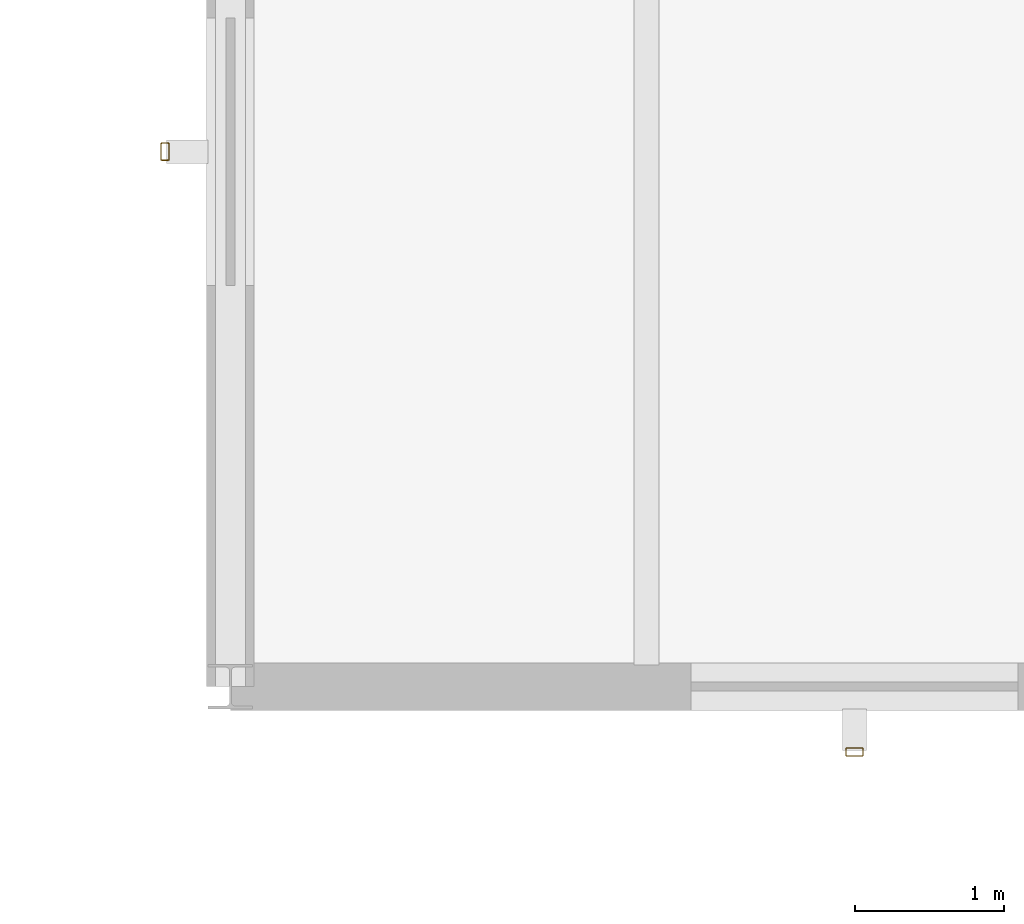
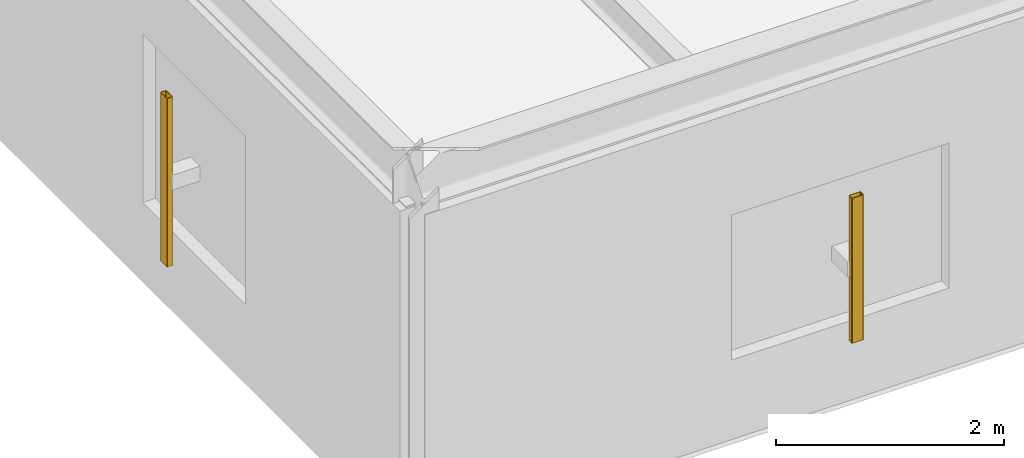
# One storey, part 79 of 109: 2 shading devices.
"""IFC4 building model written with IfcOpenShell, lengths in metres."""

import ifcopenshell
import ifcopenshell.guid

model = None  # the IFC model being written
_history = None  # IfcOwnerHistory: only IFC2X3 demands one
_inside = {}  # id of a spatial element -> (the spatial element, [elements in it])
_under = {}  # id of a project, library or spatial element -> (it, [spatial elements below it])
_declared = {}  # id of a project -> (the project, [libraries it declares])
_typed = {}  # id of a type object -> (the type object, [elements of that type])
_made_of = {}  # id of a material, layer set ... -> (it, [elements and type objects made of it])


def new_model(schema):
    """Start an empty IFC model of exactly this schema.

    Asked for "IFC4X3", IfcOpenShell would pick the latest addendum, in which some entities
    have other attributes; the version numbers below select the first issue.
    IFC2X3 requires an IfcOwnerHistory on every rooted entity: one is made here for all.
    """
    global model, _history
    if schema == "IFC4X3":
        model = ifcopenshell.file(schema_version=(4, 3, 0, 0))
    else:
        model = ifcopenshell.file(schema=schema)
    _inside.clear()
    _under.clear()
    _declared.clear()
    _typed.clear()
    _made_of.clear()
    _history = None
    if model.schema == "IFC2X3":
        org = make("IfcOrganization", Name="unknown")
        user = make(
            "IfcPersonAndOrganization",
            ThePerson=make("IfcPerson", FamilyName="unknown"),
            TheOrganization=org,
        )
        app = make(
            "IfcApplication",
            ApplicationDeveloper=org,
            Version="unknown",
            ApplicationFullName="unknown",
            ApplicationIdentifier="unknown",
        )
        _history = make(
            "IfcOwnerHistory",
            OwningUser=user,
            OwningApplication=app,
            ChangeAction="ADDED",
            CreationDate=0,
        )
    return model


def make(cls, **values):
    """One entity of the class cls with the attributes given. An attribute that is None is left unset."""
    return model.create_entity(
        cls, **{name: value for name, value in values.items() if value is not None}
    )


def rooted(cls, **values):
    """An entity with a GlobalId (a new one), such as an element, a storey or a relation."""
    return make(cls, GlobalId=ifcopenshell.guid.new(), OwnerHistory=_history, **values)


def si_unit(unit_type, name, prefix=None):
    """IfcSIUnit, for example si_unit("LENGTHUNIT", "METRE", prefix="MILLI")."""
    return make("IfcSIUnit", UnitType=unit_type, Prefix=prefix, Name=name)


def derived_unit(unit_type, elements):
    """IfcDerivedUnit: a product of units, each with its exponent."""
    return make(
        "IfcDerivedUnit",
        Elements=[
            make("IfcDerivedUnitElement", Unit=unit, Exponent=power)
            for unit, power in elements
        ],
        UnitType=unit_type,
    )


def assignment(units):
    """IfcUnitAssignment: the units of a project."""
    return None if units is None else make("IfcUnitAssignment", Units=units)


def point(xyz):
    """IfcCartesianPoint."""
    return None if xyz is None else make("IfcCartesianPoint", Coordinates=xyz)


def direction(xyz):
    """IfcDirection."""
    return None if xyz is None else make("IfcDirection", DirectionRatios=xyz)


def frame(location, z_axis=None, x_axis=None):
    """IfcAxis2Placement3D, a coordinate frame: its origin and axes. An axis left out is left unset."""
    return make(
        "IfcAxis2Placement3D",
        Location=point(location),
        Axis=direction(z_axis),
        RefDirection=direction(x_axis),
    )


def frame_2d(location, x_axis=None):
    """IfcAxis2Placement2D, a coordinate frame in the plane: its origin and x axis."""
    return make(
        "IfcAxis2Placement2D", Location=point(location), RefDirection=direction(x_axis)
    )


def origin():
    """The frame at (0, 0, 0) with its axes left unset."""
    return frame((0.0, 0.0, 0.0))


def origin_2d():
    """The frame at (0, 0) in the plane with its x axis left unset."""
    return frame_2d((0.0, 0.0))


def place(relative_to, where):
    """IfcLocalPlacement: puts the frame where relative to a parent placement (None: the world)."""
    return make(
        "IfcLocalPlacement", PlacementRelTo=relative_to, RelativePlacement=where
    )


def context(
    kind, dimensions, precision=None, world=None, true_north=None, identifier=None
):
    """IfcGeometricRepresentationContext, for example the 3D "Model" context."""
    return make(
        "IfcGeometricRepresentationContext",
        ContextIdentifier=identifier,
        ContextType=kind,
        CoordinateSpaceDimension=dimensions,
        Precision=precision,
        WorldCoordinateSystem=world,
        TrueNorth=true_north,
    )


def subcontext(parent, identifier, kind, view, scale=None):
    """IfcGeometricRepresentationSubContext, for example "Body" below "Model"."""
    return make(
        "IfcGeometricRepresentationSubContext",
        ContextIdentifier=identifier,
        ContextType=kind,
        ParentContext=parent,
        TargetScale=scale,
        TargetView=view,
    )


def project(units=None, contexts=None):
    """IfcProject with its units and contexts."""
    return rooted(
        "IfcProject",
        Name="project",
        RepresentationContexts=contexts,
        UnitsInContext=assignment(units),
    )


def spatial(cls, under=None, at=None, **own):
    """A site, building, storey or space (cls), placed at a placement, below another one or the project."""
    s = rooted(cls, ObjectPlacement=at, **own)
    if under is not None:
        _under.setdefault(under.id(), (under, []))[1].append(s)
    return s


def profile(cls, at=None, kind="AREA", **sizes):
    """A parametric profile (cls). Its sizes go by their IFC names, for example OverallWidth=200.0."""
    return make(cls, ProfileType=kind, Position=at, **sizes)


def hollow_rectangle(**sizes):
    """IfcRectangleHollowProfileDef."""
    return profile("IfcRectangleHollowProfileDef", **sizes)


def extrude(swept, where, along, depth):
    """IfcExtrudedAreaSolid: the profile swept, set in the frame where, extruded along a direction by depth."""
    return make(
        "IfcExtrudedAreaSolid",
        SweptArea=swept,
        Position=where,
        ExtrudedDirection=direction(along),
        Depth=depth,
    )


def shape(context_of_items, identifier, shape_type, items):
    """IfcShapeRepresentation: the items that make up one representation, for example the "Body"."""
    return make(
        "IfcShapeRepresentation",
        ContextOfItems=context_of_items,
        RepresentationIdentifier=identifier,
        RepresentationType=shape_type,
        Items=items,
    )


def material(Name=None, Category=None):
    """IfcMaterial."""
    return make("IfcMaterial", Name=Name, Category=Category)


def material_profile(
    of_material, cross_section, Name=None, Category=None, Priority=None
):
    """IfcMaterialProfile: a cross section and its material."""
    return make(
        "IfcMaterialProfile",
        Name=Name,
        Material=of_material,
        Profile=cross_section,
        Priority=Priority,
        Category=Category,
    )


def profile_set(profiles, Name=None, composite=None):
    """IfcMaterialProfileSet."""
    return make(
        "IfcMaterialProfileSet",
        Name=Name,
        MaterialProfiles=profiles,
        CompositeProfile=composite,
    )


def made_of(thing, what):
    """Note that an element or type object is made of a material, layer set ...; save() writes the relation."""
    if what is not None:
        _made_of.setdefault(what.id(), (what, []))[1].append(thing)
    return thing


def type_object(cls, material=None, **own):
    """A type object (cls), such as IfcWallType, which elements share."""
    return made_of(rooted(cls, **own), material)


def element(
    cls,
    number,
    at=None,
    inside=None,
    cuts=None,
    type_object=None,
    material=None,
    context=None,
    identifier="Body",
    shape_type=None,
    held_by="IfcProductDefinitionShape",
    body=None,
    shapes=None,
    **own,
):
    """One element of the class cls, such as IfcWall. Its Tag is "e" and its number.

    at: its placement. inside: the storey or other place that contains it. cuts: it is an
    opening in that element (IfcRelVoidsElement). A single representation is given by context,
    identifier, shape_type and body (its items); several are given by shapes. held_by: the class
    of the entity that holds the representations. save() writes the other relations.
    """
    e = rooted(cls, Tag="e%d" % number, ObjectPlacement=at, **own)
    if body is not None:
        shapes = [shape(context, identifier, shape_type, body)]
    if shapes is not None:
        e.Representation = make(held_by, Representations=shapes)
    if inside is not None:
        _inside.setdefault(inside.id(), (inside, []))[1].append(e)
    if cuts is not None:
        rooted(
            "IfcRelVoidsElement", RelatingBuildingElement=cuts, RelatedOpeningElement=e
        )
    if type_object is not None:
        _typed.setdefault(type_object.id(), (type_object, []))[1].append(e)
    return made_of(e, material)


def aggregate(whole, parts):
    """IfcRelAggregates: a whole, such as a stair, and the parts it consists of."""
    return rooted("IfcRelAggregates", RelatingObject=whole, RelatedObjects=parts)


def save(model, path):
    """Write the relations noted so far, then the file.

    IfcRelAggregates (storeys below a building ...), IfcRelContainedInSpatialStructure (elements
    in a storey), IfcRelDefinesByType, IfcRelAssociatesMaterial and IfcRelDeclares: one each for
    every whole, place, type object, material and project.
    """
    for whole, parts in _under.values():
        aggregate(whole, parts)
    for where, things in _inside.values():
        rooted(
            "IfcRelContainedInSpatialStructure",
            RelatedElements=things,
            RelatingStructure=where,
        )
    for kind, things in _typed.values():
        rooted("IfcRelDefinesByType", RelatedObjects=things, RelatingType=kind)
    for what, things in _made_of.values():
        rooted("IfcRelAssociatesMaterial", RelatedObjects=things, RelatingMaterial=what)
    for by, libraries in _declared.values():
        rooted("IfcRelDeclares", RelatingContext=by, RelatedDefinitions=libraries)
    model.write(path)


model = new_model("IFC4")

# Units and contexts
model_context = context("Model", 3, precision=1e-05, world=origin(), true_north=direction((0.0, 1.0)))
body_context = subcontext(model_context, "Body", "Model", "MODEL_VIEW")
ifc_project = project(units=[si_unit("LENGTHUNIT", "METRE"), si_unit("AREAUNIT", "SQUARE_METRE"), si_unit("VOLUMEUNIT", "CUBIC_METRE"), si_unit("PLANEANGLEUNIT", "RADIAN"), si_unit("MASSUNIT", "GRAM", prefix="KILO"), derived_unit("THERMALTRANSMITTANCEUNIT", [(si_unit("MASSUNIT", "GRAM", prefix="KILO"), 1), (si_unit("TIMEUNIT", "SECOND"), -3), (si_unit("THERMODYNAMICTEMPERATUREUNIT", "KELVIN"), -1)])], contexts=[model_context])

# Site, building, storey
site_placement = place(None, origin())
site = spatial("IfcSite", under=ifc_project, at=site_placement, CompositionType="ELEMENT")
building_placement = place(site_placement, origin())
building = spatial("IfcBuilding", under=site, at=building_placement, Name="Kharveza Railside Sports Centre", CompositionType="ELEMENT")
storey_placement = place(building_placement, frame((0.0, 0.0, 4.5)))
storey = spatial("IfcBuildingStorey", under=building, at=storey_placement, Name="L01", CompositionType="ELEMENT", Elevation=4.5)

# Shading devices
ifc_material = material(Name="Anodised aluminium 6063-T6", Category="aluminium")
ifc_material_profile = material_profile(ifc_material, hollow_rectangle(XDim=0.06005859375, YDim=0.1201171875, WallThickness=0.0048828125, InnerFilletRadius=0.0048828125, OuterFilletRadius=0.010009765625, at=origin_2d()), Name="RHS 60x120x5.0")
ifc_profile_set = profile_set([ifc_material_profile], Name="Anodised aluminium 6063-T6")
shading_device_type = type_object("IfcShadingDeviceType", Name="SD-LV01", PredefinedType="JALOUSIE", material=ifc_profile_set)
shading_device_1_placement = place(storey_placement, frame((75.159912109375, 10.800048828125, 0.85009765625), z_axis=(0.0, 0.0, 1.0), x_axis=(-1.0, 0.0, 0.0)))
element("IfcShadingDevice", 1, at=shading_device_1_placement, inside=storey, type_object=shading_device_type, Name="SD-FIN-029", PredefinedType="JALOUSIE", context=body_context, shape_type="SweptSolid", body=[
    extrude(hollow_rectangle(XDim=0.06005859375, YDim=0.1201171875, WallThickness=0.0048828125, InnerFilletRadius=0.0048828125, OuterFilletRadius=0.010009765625, at=origin_2d()), origin(), (0.0, 0.0, 1.0), 1.7998046875),
])
shading_device_2_placement = place(storey_placement, frame((79.800048828125, 6.760009765625, 0.85009765625), z_axis=(0.0, 0.0, 1.0), x_axis=(0.0, -1.0, 0.0)))
element("IfcShadingDevice", 2, at=shading_device_2_placement, inside=storey, type_object=shading_device_type, Name="SD-FIN-030", PredefinedType="JALOUSIE", context=body_context, shape_type="SweptSolid", body=[
    extrude(hollow_rectangle(XDim=0.06005859375, YDim=0.1201171875, WallThickness=0.0048828125, InnerFilletRadius=0.0048828125, OuterFilletRadius=0.010009765625, at=origin_2d()), origin(), (0.0, 0.0, 1.0), 1.5498046875),
])

save(model, "model.ifc")
